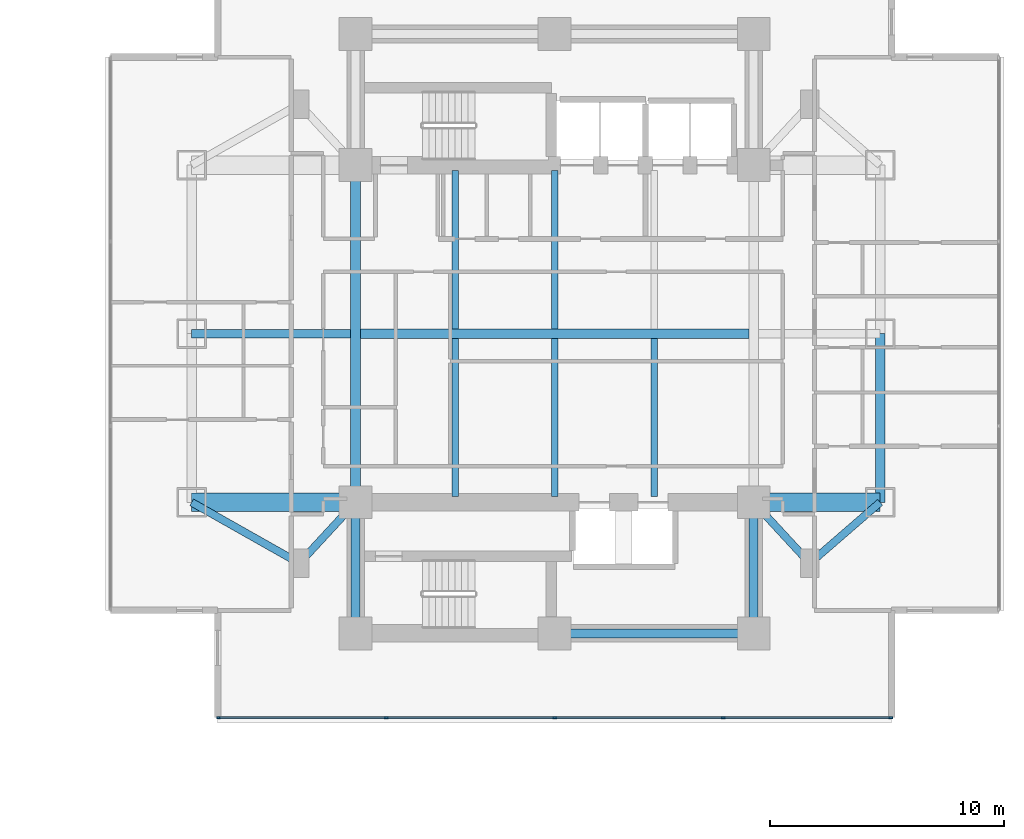
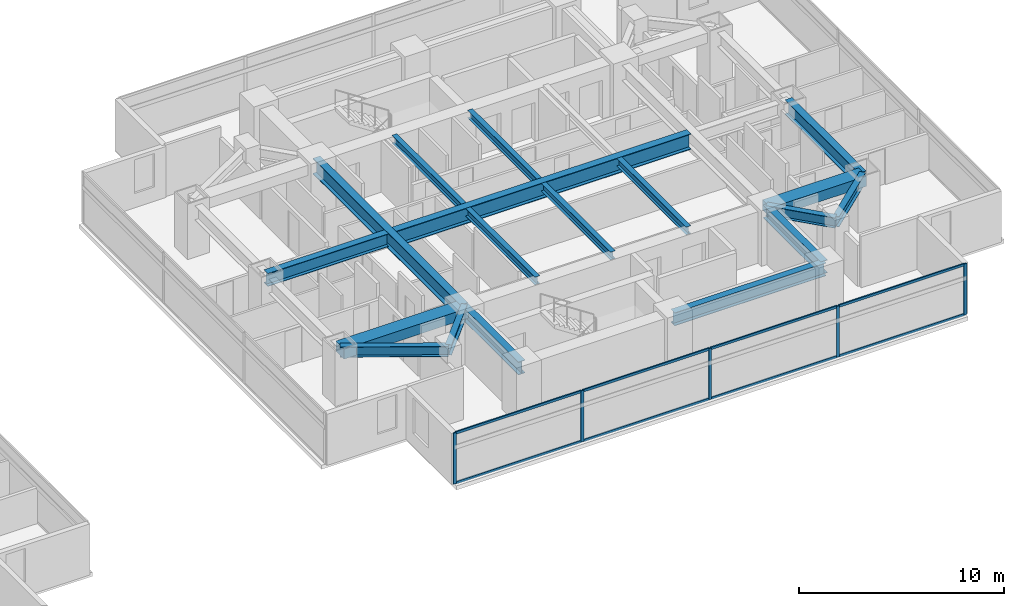
# One storey, part 9 of 26: 18 beams, 13 members, 1 element without a shape of its own.
"""IFC4 building model written with IfcOpenShell, lengths in metres."""

from ifc_helpers import new_model, si_unit, direction, frame, origin, origin_2d, place, context, subcontext, project, spatial, rectangle, i_section, extrude, material, material_profile, profile_set, type_object, element, aggregate, save


model = new_model("IFC4")

# Units and contexts
model_context = context("Model", 3, precision=1e-05, world=origin(), true_north=direction((0.0, 1.0)))
body_context = subcontext(model_context, "Body", "Model", "MODEL_VIEW")
ifc_project = project(units=[si_unit("LENGTHUNIT", "METRE"), si_unit("AREAUNIT", "SQUARE_METRE"), si_unit("VOLUMEUNIT", "CUBIC_METRE"), si_unit("PLANEANGLEUNIT", "RADIAN"), si_unit("MASSUNIT", "GRAM", prefix="KILO")], contexts=[model_context])

# Site, building, storey
site_placement = place(None, origin())
site = spatial("IfcSite", under=ifc_project, at=site_placement, CompositionType="ELEMENT")
building_placement = place(site_placement, origin())
building = spatial("IfcBuilding", under=site, at=building_placement, Name="Mirazonda Arch Towers", CompositionType="ELEMENT")
storey_placement = place(building_placement, frame((0.0, 0.0, 38.89990234375)))
storey = spatial("IfcBuildingStorey", under=building, at=storey_placement, Name="L10", CompositionType="ELEMENT", Elevation=38.89990234375)

# Beams
ifc_material_1 = material(Name="Steel ASTM A992 Grade 50", Category="steel")
ifc_material_profile_1 = material_profile(ifc_material_1, i_section(OverallWidth=0.39990234375, OverallDepth=0.85595703125, WebThickness=0.018310546875, FlangeThickness=0.029296875, at=origin_2d()), Name="W33X201")
ifc_profile_set_1 = profile_set([ifc_material_profile_1], Name="Steel ASTM A992 Grade 50")
beam_type_1 = type_object("IfcBeamType", Name="BM-EXT-W33X201", PredefinedType="USERDEFINED", material=ifc_profile_set_1)
beam_1_placement = place(storey_placement, frame((90.39990234375, 20.800048828125, 2.632080078125), z_axis=(0.0, 1.0, 0.0), x_axis=(-1.0, 0.0, 0.0)))
element("IfcBeam", 1, at=beam_1_placement, inside=storey, type_object=beam_type_1, Name="L10 Floor Beam BM-T2-L10-NS-E-20", ObjectType="GIRDER", PredefinedType="USERDEFINED", context=body_context, shape_type="SweptSolid", body=[
    extrude(i_section(OverallWidth=0.39990234375, OverallDepth=0.85595703125, WebThickness=0.018310546875, FlangeThickness=0.029296875, at=origin_2d()), origin(), (0.0, 0.0, 1.0), 7.199951171875),
])
ifc_material_profile_2 = material_profile(ifc_material_1, i_section(OverallWidth=0.280029296875, OverallDepth=0.462890625, WebThickness=0.0107421875, FlangeThickness=0.017333984375, at=origin_2d()), Name="W18X76")
ifc_profile_set_2 = profile_set([ifc_material_profile_2], Name="Steel ASTM A992 Grade 50")
beam_type_2 = type_object("IfcBeamType", Name="BM-INT-W18X76", PredefinedType="JOIST", material=ifc_profile_set_2)
for number, where, z_axis, x_axis, name in (
    (2, (72.25, 21.0400390625, 2.82861328125), (0.0, 1.0, 0.0), (-1.0, 0.0, 0.0), "L10 Floor Beam BM-T2-L10-J-722-20"),
    (3, (72.25, 28.205078125, 2.82861328125), (0.0, 1.0, 0.0), (-1.0, 0.0, 0.0), "L10 Floor Beam BM-T2-L10-J-722-28"),
    (4, (76.5, 21.0400390625, 2.82861328125), (0.0, 1.0, 0.0), (-1.0, 0.0, 0.0), "L10 Floor Beam BM-T2-L10-J-765-20"),
    (5, (76.5, 28.205078125, 2.82861328125), (0.0, 1.0, 0.0), (-1.0, 0.0, 0.0), "L10 Floor Beam BM-T2-L10-J-765-28"),
    (6, (80.75, 21.0400390625, 2.82861328125), (0.0, 1.0, 0.0), (-1.0, 0.0, 0.0), "L10 Floor Beam BM-T2-L10-J-807-20"),
):
    element("IfcBeam", number, at=place(storey_placement, frame(where, z_axis=z_axis, x_axis=x_axis)), inside=storey, type_object=beam_type_2, Name=name, PredefinedType="JOIST", context=body_context, shape_type="SweptSolid", body=[
        extrude(i_section(OverallWidth=0.280029296875, OverallDepth=0.462890625, WebThickness=0.0107421875, FlangeThickness=0.017333984375, at=origin_2d()), origin(), (0.0, 0.0, 1.0), 6.7548828125),
    ])
ifc_material_profile_3 = material_profile(ifc_material_1, i_section(OverallWidth=0.324951171875, OverallDepth=0.615966796875, WebThickness=0.013916015625, FlangeThickness=0.021484375, at=origin_2d()), Name="W24X117")
ifc_profile_set_3 = profile_set([ifc_material_profile_3], Name="Steel ASTM A992 Grade 50")
beam_type_3 = type_object("IfcBeamType", Name="BM-INT-W24X117", PredefinedType="BEAM", material=ifc_profile_set_3)
beam_2_placement = place(storey_placement, frame((65.60009765625, 18.199951171875, 2.752197265625), z_axis=(0.678251444854, 0.734829897019, 0.0), x_axis=(-0.734829897019, 0.678251444854, 0.0)))
element("IfcBeam", 7, at=beam_2_placement, inside=storey, type_object=beam_type_3, Name="L10 Floor Beam BM-T2-L10-PL-SW1", PredefinedType="BEAM", context=body_context, shape_type="SweptSolid", body=[
    extrude(i_section(OverallWidth=0.324951171875, OverallDepth=0.615966796875, WebThickness=0.013916015625, FlangeThickness=0.021484375, at=origin_2d()), origin(), (0.0, 0.0, 1.0), 3.538330078125),
])
beam_3_placement = place(storey_placement, frame((65.60009765625, 18.199951171875, 2.752197265625), z_axis=(-0.870559396632, 0.492063346467, 0.0), x_axis=(-0.492063346467, -0.870559396632, 0.0)))
element("IfcBeam", 8, at=beam_3_placement, inside=storey, type_object=beam_type_3, Name="L10 Floor Beam BM-T2-L10-PL-SW2", PredefinedType="BEAM", context=body_context, shape_type="SweptSolid", body=[
    extrude(i_section(OverallWidth=0.324951171875, OverallDepth=0.615966796875, WebThickness=0.013916015625, FlangeThickness=0.021484375, at=origin_2d()), origin(), (0.0, 0.0, 1.0), 5.2841796875),
])
beam_4_placement = place(storey_placement, frame((87.39990234375, 18.199951171875, 2.752197265625), z_axis=(-0.678251444854, 0.734829897019, 0.0), x_axis=(-0.734829897019, -0.678251444854, 0.0)))
element("IfcBeam", 9, at=beam_4_placement, inside=storey, type_object=beam_type_3, Name="L10 Floor Beam BM-T2-L10-PL-SE1", PredefinedType="BEAM", context=body_context, shape_type="SweptSolid", body=[
    extrude(i_section(OverallWidth=0.324951171875, OverallDepth=0.615966796875, WebThickness=0.013916015625, FlangeThickness=0.021484375, at=origin_2d()), origin(), (0.0, 0.0, 1.0), 3.538330078125),
])
beam_5_placement = place(storey_placement, frame((87.39990234375, 18.199951171875, 2.752197265625), z_axis=(0.755676908098, 0.654944585876, 0.0), x_axis=(-0.654944585876, 0.755676908098, 0.0)))
element("IfcBeam", 10, at=beam_5_placement, inside=storey, type_object=beam_type_3, Name="L10 Floor Beam BM-T2-L10-PL-SE2", PredefinedType="BEAM", context=body_context, shape_type="SweptSolid", body=[
    extrude(i_section(OverallWidth=0.324951171875, OverallDepth=0.615966796875, WebThickness=0.013916015625, FlangeThickness=0.021484375, at=origin_2d()), origin(), (0.0, 0.0, 1.0), 3.969970703125),
])
ifc_material_profile_4 = material_profile(ifc_material_1, i_section(OverallWidth=0.381103515625, OverallDepth=0.77294921875, WebThickness=0.0166015625, FlangeThickness=0.027099609375, at=origin_2d()), Name="W30X173")
ifc_profile_set_4 = profile_set([ifc_material_profile_4], Name="Steel ASTM A992 Grade 50")
beam_type_4 = type_object("IfcBeamType", Name="BM-INT-W30X173", PredefinedType="USERDEFINED", material=ifc_profile_set_4)
beam_6_placement = place(storey_placement, frame((76.5, 15.199951171875, 2.673583984375), z_axis=(1.0, 0.0, 0.0), x_axis=(0.0, 1.0, 0.0)))
element("IfcBeam", 11, at=beam_6_placement, inside=storey, type_object=beam_type_4, Name="L10 Floor Beam BM-T2-L10-CS2", ObjectType="GIRDER", PredefinedType="USERDEFINED", context=body_context, shape_type="SweptSolid", body=[
    extrude(i_section(OverallWidth=0.381103515625, OverallDepth=0.77294921875, WebThickness=0.0166015625, FlangeThickness=0.027099609375, at=origin_2d()), origin(), (0.0, 0.0, 1.0), 8.5),
])
for number, where, z_axis, x_axis, name in (
    (12, (68.0, 15.199951171875, 2.673583984375), (0.0, 1.0, 0.0), (-1.0, 0.0, 0.0), "L10 Floor Beam BM-T2-L10-CSW"),
    (13, (85.0, 15.199951171875, 2.673583984375), (0.0, 1.0, 0.0), (-1.0, 0.0, 0.0), "L10 Floor Beam BM-T2-L10-CSE"),
):
    element("IfcBeam", number, at=place(storey_placement, frame(where, z_axis=z_axis, x_axis=x_axis)), inside=storey, type_object=beam_type_4, Name=name, ObjectType="GIRDER", PredefinedType="USERDEFINED", context=body_context, shape_type="SweptSolid", body=[
        extrude(i_section(OverallWidth=0.381103515625, OverallDepth=0.77294921875, WebThickness=0.0166015625, FlangeThickness=0.027099609375, at=origin_2d()), origin(), (0.0, 0.0, 1.0), 5.60009765625),
    ])
beam_7_placement = place(storey_placement, frame((61.0, 28.0, 2.673583984375), z_axis=(1.0, 0.0, 0.0), x_axis=(0.0, 1.0, 0.0)))
element("IfcBeam", 14, at=beam_7_placement, inside=storey, type_object=beam_type_4, Name="L10 Floor Beam BM-T2-L10-GW2", ObjectType="GIRDER", PredefinedType="USERDEFINED", context=body_context, shape_type="SweptSolid", body=[
    extrude(i_section(OverallWidth=0.381103515625, OverallDepth=0.77294921875, WebThickness=0.0166015625, FlangeThickness=0.027099609375, at=origin_2d()), origin(), (0.0, 0.0, 1.0), 6.791015625),
])
ifc_material_profile_5 = material_profile(ifc_material_1, i_section(OverallWidth=0.41796875, OverallDepth=0.927001953125, WebThickness=0.019287109375, FlangeThickness=0.031982421875, at=origin_2d()), Name="W36X231")
ifc_profile_set_5 = profile_set([ifc_material_profile_5], Name="Steel ASTM A992 Grade 50")
beam_type_5 = type_object("IfcBeamType", Name="BM-INT-W36X231", PredefinedType="USERDEFINED", material=ifc_profile_set_5)
beam_8_placement = place(storey_placement, frame((68.208984375, 28.0, 2.5966796875), z_axis=(1.0, 0.0, 0.0), x_axis=(0.0, 1.0, 0.0)))
element("IfcBeam", 15, at=beam_8_placement, inside=storey, type_object=beam_type_5, Name="L10 Floor Beam BM-T2-L10-GC2", ObjectType="GIRDER", PredefinedType="USERDEFINED", context=body_context, shape_type="SweptSolid", body=[
    extrude(i_section(OverallWidth=0.41796875, OverallDepth=0.927001953125, WebThickness=0.019287109375, FlangeThickness=0.031982421875, at=origin_2d()), origin(), (0.0, 0.0, 1.0), 16.58203125),
])
beam_9_placement = place(storey_placement, frame((68.0, 20.800048828125, 2.5966796875), z_axis=(0.0, 1.0, 0.0), x_axis=(-1.0, 0.0, 0.0)))
element("IfcBeam", 16, at=beam_9_placement, inside=storey, type_object=beam_type_5, Name="L10 Floor Beam BM-T2-L10-NS-CW-FULL", ObjectType="GIRDER", PredefinedType="USERDEFINED", context=body_context, shape_type="SweptSolid", body=[
    extrude(i_section(OverallWidth=0.41796875, OverallDepth=0.927001953125, WebThickness=0.019287109375, FlangeThickness=0.031982421875, at=origin_2d()), origin(), (0.0, 0.0, 1.0), 14.39990234375),
])
ifc_material_2 = material(Name="Concrete C60/75", Category="concrete")
ifc_material_profile_6 = material_profile(ifc_material_2, rectangle(XDim=0.800048828125, YDim=0.60009765625, at=origin_2d()), Name="RCCB800x600")
ifc_profile_set_6 = profile_set([ifc_material_profile_6], Name="Concrete C60/75")
beam_type_6 = type_object("IfcBeamType", Name="CB-INT-RCCB800x600", PredefinedType="SPANDREL", material=ifc_profile_set_6)
beam_10_placement = place(storey_placement, frame((61.0, 20.800048828125, 2.760009765625), z_axis=(1.0, 0.0, 0.0), x_axis=(0.0, 1.0, 0.0)))
element("IfcBeam", 17, at=beam_10_placement, inside=storey, type_object=beam_type_6, Name="L10 Floor Beam CBC-T2-L10-SW", PredefinedType="SPANDREL", context=body_context, shape_type="SweptSolid", body=[
    extrude(rectangle(XDim=0.800048828125, YDim=0.60009765625, at=origin_2d()), origin(), (0.0, 0.0, 1.0), 7.0),
])
beam_11_placement = place(storey_placement, frame((85.0, 20.800048828125, 2.760009765625), z_axis=(1.0, 0.0, 0.0), x_axis=(0.0, 1.0, 0.0)))
element("IfcBeam", 18, at=beam_11_placement, inside=storey, type_object=beam_type_6, Name="L10 Floor Beam CBC-T2-L10-SE", PredefinedType="SPANDREL", context=body_context, shape_type="SweptSolid", body=[
    extrude(rectangle(XDim=0.800048828125, YDim=0.60009765625, at=origin_2d()), origin(), (0.0, 0.0, 1.0), 5.39990234375),
])

# Curtain wall, members
ifc_material_3 = material(Name="Anodised Aluminium and Low-E Glass", Category="aluminium")
curtain_wall_type = type_object("IfcCurtainWallType", Name="CW-HTL-UNIT", PredefinedType="NOTDEFINED", material=ifc_material_3)
curtain_wall_placement = place(storey_placement, origin())
curtain_wall = element("IfcCurtainWall", 19, at=curtain_wall_placement, inside=storey, type_object=curtain_wall_type, Name="L10 T2 S Facade CW-L10-T2-S", PredefinedType="NOTDEFINED")
ifc_material_4 = material(Name="Anodised Aluminium Alloy", Category="aluminium")
ifc_material_profile_7 = material_profile(ifc_material_4, rectangle(XDim=0.074951171875, YDim=0.1650390625, at=origin_2d()), Name="ALU-MULL-75x165")
ifc_profile_set_7 = profile_set([ifc_material_profile_7], Name="Anodised Aluminium Alloy")
member_type_1 = type_object("IfcMemberType", Name="MULL-CW-HTL-UNIT", PredefinedType="MULLION", material=ifc_profile_set_7)
member_1_placement = place(storey_placement, frame((90.8525390625, 11.603515625, 0.0), z_axis=(0.0, 0.0, 1.0), x_axis=(0.0, -1.0, 0.0)))
member_1 = element("IfcMember", 20, at=member_1_placement, type_object=member_type_1, Name="CW-112 mullion 1", PredefinedType="MULLION", context=body_context, shape_type="SweptSolid", body=[
    extrude(rectangle(XDim=0.074951171875, YDim=0.1650390625, at=origin_2d()), origin(), (0.0, 0.0, 1.0), 3.0400390625),
])
member_2_placement = place(storey_placement, frame((83.695068359375, 11.603515625, 0.0), z_axis=(0.0, 0.0, 1.0), x_axis=(0.0, -1.0, 0.0)))
member_2 = element("IfcMember", 21, at=member_2_placement, type_object=member_type_1, Name="CW-112 mullion 2", PredefinedType="MULLION", context=body_context, shape_type="SweptSolid", body=[
    extrude(rectangle(XDim=0.074951171875, YDim=0.1650390625, at=origin_2d()), origin(), (0.0, 0.0, 1.0), 3.0400390625),
])
member_3_placement = place(storey_placement, frame((76.5, 11.603515625, 0.0), z_axis=(0.0, 0.0, 1.0), x_axis=(0.0, -1.0, 0.0)))
member_3 = element("IfcMember", 22, at=member_3_placement, type_object=member_type_1, Name="CW-112 mullion 3", PredefinedType="MULLION", context=body_context, shape_type="SweptSolid", body=[
    extrude(rectangle(XDim=0.074951171875, YDim=0.1650390625, at=origin_2d()), origin(), (0.0, 0.0, 1.0), 3.0400390625),
])
member_4_placement = place(storey_placement, frame((69.304931640625, 11.603515625, 0.0), z_axis=(0.0, 0.0, 1.0), x_axis=(0.0, -1.0, 0.0)))
member_4 = element("IfcMember", 23, at=member_4_placement, type_object=member_type_1, Name="CW-112 mullion 4", PredefinedType="MULLION", context=body_context, shape_type="SweptSolid", body=[
    extrude(rectangle(XDim=0.074951171875, YDim=0.1650390625, at=origin_2d()), origin(), (0.0, 0.0, 1.0), 3.0400390625),
])
member_5_placement = place(storey_placement, frame((62.1474609375, 11.603515625, 0.0), z_axis=(0.0, 0.0, 1.0), x_axis=(0.0, -1.0, 0.0)))
member_5 = element("IfcMember", 24, at=member_5_placement, type_object=member_type_1, Name="CW-112 mullion 5", PredefinedType="MULLION", context=body_context, shape_type="SweptSolid", body=[
    extrude(rectangle(XDim=0.074951171875, YDim=0.1650390625, at=origin_2d()), origin(), (0.0, 0.0, 1.0), 3.0400390625),
])
ifc_material_profile_8 = material_profile(ifc_material_4, rectangle(XDim=0.074951171875, YDim=0.14501953125, at=origin_2d()), Name="ALU-TRAN-75x145")
ifc_profile_set_8 = profile_set([ifc_material_profile_8], Name="Anodised Aluminium Alloy")
member_type_2 = type_object("IfcMemberType", Name="TRAN-CW-HTL-UNIT", PredefinedType="USERDEFINED", material=ifc_profile_set_8)
member_6_placement = place(storey_placement, frame((90.81494140625, 11.603515625, 0.03759765625), z_axis=(-1.0, 0.0, 0.0), x_axis=(0.0, -1.0, 0.0)))
member_6 = element("IfcMember", 25, at=member_6_placement, type_object=member_type_2, Name="CW-112 transom 1.1", ObjectType="TRANSOM", PredefinedType="USERDEFINED", context=body_context, shape_type="SweptSolid", body=[
    extrude(rectangle(XDim=0.074951171875, YDim=0.14501953125, at=origin_2d()), origin(), (0.0, 0.0, 1.0), 7.08251953125),
])
member_7_placement = place(storey_placement, frame((90.81494140625, 11.603515625, 3.002685546875), z_axis=(-1.0, 0.0, 0.0), x_axis=(0.0, -1.0, 0.0)))
member_7 = element("IfcMember", 26, at=member_7_placement, type_object=member_type_2, Name="CW-112 transom 1.2", ObjectType="TRANSOM", PredefinedType="USERDEFINED", context=body_context, shape_type="SweptSolid", body=[
    extrude(rectangle(XDim=0.074951171875, YDim=0.14501953125, at=origin_2d()), origin(), (0.0, 0.0, 1.0), 7.08251953125),
])
member_8_placement = place(storey_placement, frame((83.657470703125, 11.603515625, 0.03759765625), z_axis=(-1.0, 0.0, 0.0), x_axis=(0.0, -1.0, 0.0)))
member_8 = element("IfcMember", 27, at=member_8_placement, type_object=member_type_2, Name="CW-112 transom 2.1", ObjectType="TRANSOM", PredefinedType="USERDEFINED", context=body_context, shape_type="SweptSolid", body=[
    extrude(rectangle(XDim=0.074951171875, YDim=0.14501953125, at=origin_2d()), origin(), (0.0, 0.0, 1.0), 7.119873046875),
])
member_9_placement = place(storey_placement, frame((83.657470703125, 11.603515625, 3.002685546875), z_axis=(-1.0, 0.0, 0.0), x_axis=(0.0, -1.0, 0.0)))
member_9 = element("IfcMember", 28, at=member_9_placement, type_object=member_type_2, Name="CW-112 transom 2.2", ObjectType="TRANSOM", PredefinedType="USERDEFINED", context=body_context, shape_type="SweptSolid", body=[
    extrude(rectangle(XDim=0.074951171875, YDim=0.14501953125, at=origin_2d()), origin(), (0.0, 0.0, 1.0), 7.119873046875),
])
member_10_placement = place(storey_placement, frame((76.46240234375, 11.603515625, 0.03759765625), z_axis=(-1.0, 0.0, 0.0), x_axis=(0.0, -1.0, 0.0)))
member_10 = element("IfcMember", 29, at=member_10_placement, type_object=member_type_2, Name="CW-112 transom 3.1", ObjectType="TRANSOM", PredefinedType="USERDEFINED", context=body_context, shape_type="SweptSolid", body=[
    extrude(rectangle(XDim=0.074951171875, YDim=0.14501953125, at=origin_2d()), origin(), (0.0, 0.0, 1.0), 7.119873046875),
])
member_11_placement = place(storey_placement, frame((76.46240234375, 11.603515625, 3.002685546875), z_axis=(-1.0, 0.0, 0.0), x_axis=(0.0, -1.0, 0.0)))
member_11 = element("IfcMember", 30, at=member_11_placement, type_object=member_type_2, Name="CW-112 transom 3.2", ObjectType="TRANSOM", PredefinedType="USERDEFINED", context=body_context, shape_type="SweptSolid", body=[
    extrude(rectangle(XDim=0.074951171875, YDim=0.14501953125, at=origin_2d()), origin(), (0.0, 0.0, 1.0), 7.119873046875),
])
member_12_placement = place(storey_placement, frame((69.267578125, 11.603515625, 0.03759765625), z_axis=(-1.0, 0.0, 0.0), x_axis=(0.0, -1.0, 0.0)))
member_12 = element("IfcMember", 31, at=member_12_placement, type_object=member_type_2, Name="CW-112 transom 4.1", ObjectType="TRANSOM", PredefinedType="USERDEFINED", context=body_context, shape_type="SweptSolid", body=[
    extrude(rectangle(XDim=0.074951171875, YDim=0.14501953125, at=origin_2d()), origin(), (0.0, 0.0, 1.0), 7.08251953125),
])
member_13_placement = place(storey_placement, frame((69.267578125, 11.603515625, 3.002685546875), z_axis=(-1.0, 0.0, 0.0), x_axis=(0.0, -1.0, 0.0)))
member_13 = element("IfcMember", 32, at=member_13_placement, type_object=member_type_2, Name="CW-112 transom 4.2", ObjectType="TRANSOM", PredefinedType="USERDEFINED", context=body_context, shape_type="SweptSolid", body=[
    extrude(rectangle(XDim=0.074951171875, YDim=0.14501953125, at=origin_2d()), origin(), (0.0, 0.0, 1.0), 7.08251953125),
])
aggregate(curtain_wall, [member_1, member_2, member_3, member_4, member_5, member_6, member_7, member_8, member_9, member_10, member_11, member_12, member_13])

save(model, "model.ifc")
